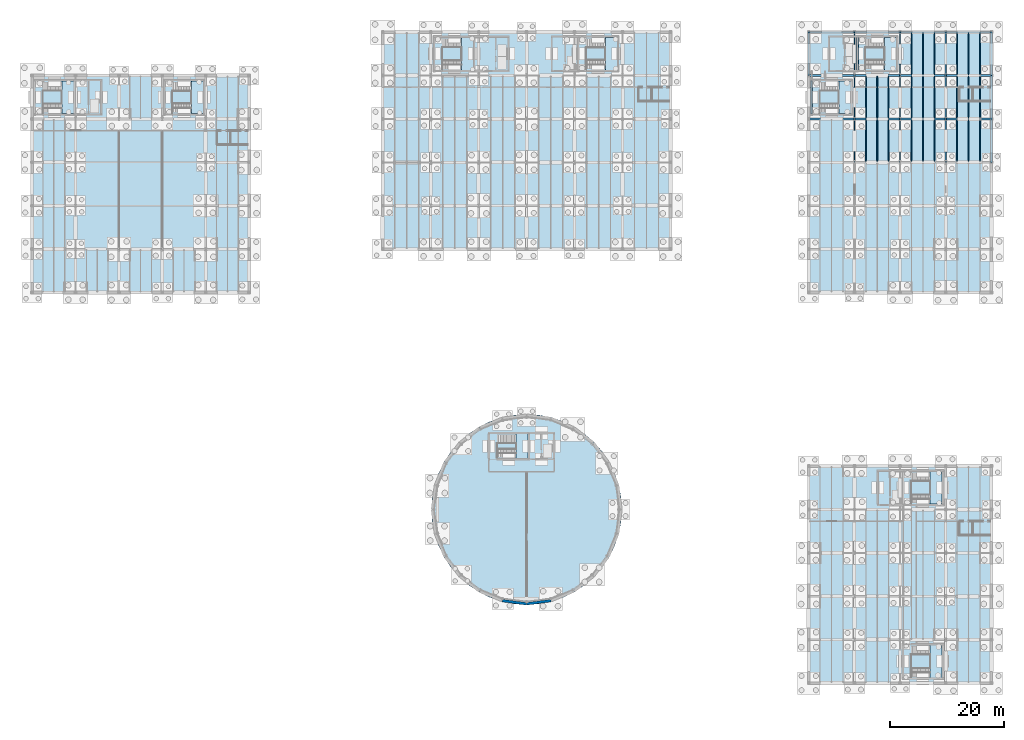
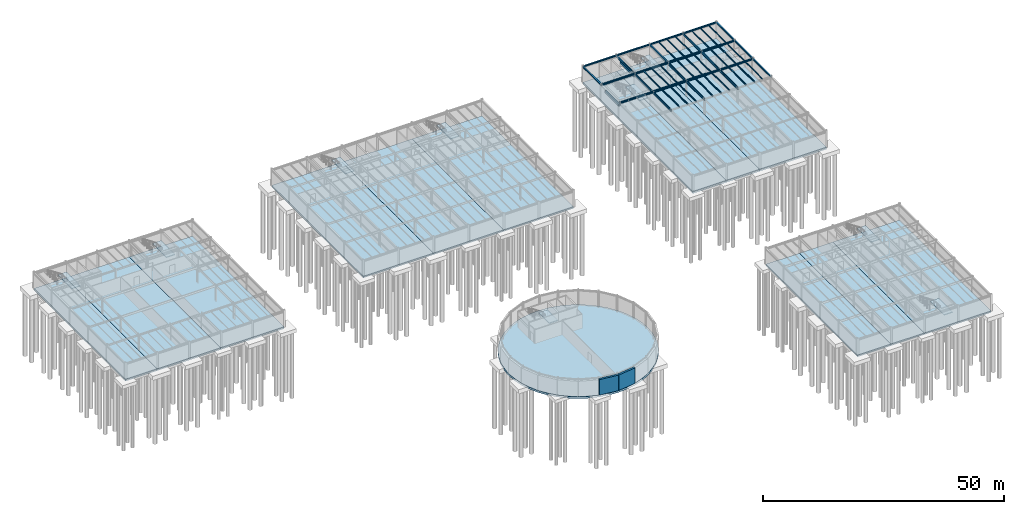
# One storey, part 23 of 33: 51 beams, 22 slabs, 2 walls, 9 elements without a shape of their own.
"""IFC4 building model written with IfcOpenShell, lengths in metres."""

import ifcopenshell
import ifcopenshell.guid

model = None  # the IFC model being written
_history = None  # IfcOwnerHistory: only IFC2X3 demands one
_inside = {}  # id of a spatial element -> (the spatial element, [elements in it])
_under = {}  # id of a project, library or spatial element -> (it, [spatial elements below it])
_declared = {}  # id of a project -> (the project, [libraries it declares])
_typed = {}  # id of a type object -> (the type object, [elements of that type])
_made_of = {}  # id of a material, layer set ... -> (it, [elements and type objects made of it])


def new_model(schema):
    """Start an empty IFC model of exactly this schema.

    Asked for "IFC4X3", IfcOpenShell would pick the latest addendum, in which some entities
    have other attributes; the version numbers below select the first issue.
    IFC2X3 requires an IfcOwnerHistory on every rooted entity: one is made here for all.
    """
    global model, _history
    if schema == "IFC4X3":
        model = ifcopenshell.file(schema_version=(4, 3, 0, 0))
    else:
        model = ifcopenshell.file(schema=schema)
    _inside.clear()
    _under.clear()
    _declared.clear()
    _typed.clear()
    _made_of.clear()
    _history = None
    if model.schema == "IFC2X3":
        org = make("IfcOrganization", Name="unknown")
        user = make(
            "IfcPersonAndOrganization",
            ThePerson=make("IfcPerson", FamilyName="unknown"),
            TheOrganization=org,
        )
        app = make(
            "IfcApplication",
            ApplicationDeveloper=org,
            Version="unknown",
            ApplicationFullName="unknown",
            ApplicationIdentifier="unknown",
        )
        _history = make(
            "IfcOwnerHistory",
            OwningUser=user,
            OwningApplication=app,
            ChangeAction="ADDED",
            CreationDate=0,
        )
    return model


def make(cls, **values):
    """One entity of the class cls with the attributes given. An attribute that is None is left unset."""
    return model.create_entity(
        cls, **{name: value for name, value in values.items() if value is not None}
    )


def rooted(cls, **values):
    """An entity with a GlobalId (a new one), such as an element, a storey or a relation."""
    return make(cls, GlobalId=ifcopenshell.guid.new(), OwnerHistory=_history, **values)


def si_unit(unit_type, name, prefix=None):
    """IfcSIUnit, for example si_unit("LENGTHUNIT", "METRE", prefix="MILLI")."""
    return make("IfcSIUnit", UnitType=unit_type, Prefix=prefix, Name=name)


def assignment(units):
    """IfcUnitAssignment: the units of a project."""
    return None if units is None else make("IfcUnitAssignment", Units=units)


def point(xyz):
    """IfcCartesianPoint."""
    return None if xyz is None else make("IfcCartesianPoint", Coordinates=xyz)


def direction(xyz):
    """IfcDirection."""
    return None if xyz is None else make("IfcDirection", DirectionRatios=xyz)


def frame(location, z_axis=None, x_axis=None):
    """IfcAxis2Placement3D, a coordinate frame: its origin and axes. An axis left out is left unset."""
    return make(
        "IfcAxis2Placement3D",
        Location=point(location),
        Axis=direction(z_axis),
        RefDirection=direction(x_axis),
    )


def frame_2d(location, x_axis=None):
    """IfcAxis2Placement2D, a coordinate frame in the plane: its origin and x axis."""
    return make(
        "IfcAxis2Placement2D", Location=point(location), RefDirection=direction(x_axis)
    )


def origin():
    """The frame at (0, 0, 0) with its axes left unset."""
    return frame((0.0, 0.0, 0.0))


def origin_2d():
    """The frame at (0, 0) in the plane with its x axis left unset."""
    return frame_2d((0.0, 0.0))


def place(relative_to, where):
    """IfcLocalPlacement: puts the frame where relative to a parent placement (None: the world)."""
    return make(
        "IfcLocalPlacement", PlacementRelTo=relative_to, RelativePlacement=where
    )


def context(
    kind, dimensions, precision=None, world=None, true_north=None, identifier=None
):
    """IfcGeometricRepresentationContext, for example the 3D "Model" context."""
    return make(
        "IfcGeometricRepresentationContext",
        ContextIdentifier=identifier,
        ContextType=kind,
        CoordinateSpaceDimension=dimensions,
        Precision=precision,
        WorldCoordinateSystem=world,
        TrueNorth=true_north,
    )


def subcontext(parent, identifier, kind, view, scale=None):
    """IfcGeometricRepresentationSubContext, for example "Body" below "Model"."""
    return make(
        "IfcGeometricRepresentationSubContext",
        ContextIdentifier=identifier,
        ContextType=kind,
        ParentContext=parent,
        TargetScale=scale,
        TargetView=view,
    )


def project(units=None, contexts=None):
    """IfcProject with its units and contexts."""
    return rooted(
        "IfcProject",
        Name="project",
        RepresentationContexts=contexts,
        UnitsInContext=assignment(units),
    )


def spatial(cls, under=None, at=None, **own):
    """A site, building, storey or space (cls), placed at a placement, below another one or the project."""
    s = rooted(cls, ObjectPlacement=at, **own)
    if under is not None:
        _under.setdefault(under.id(), (under, []))[1].append(s)
    return s


def polyline(points):
    """IfcPolyline through the points."""
    return make("IfcPolyline", Points=[point(p) for p in points])


def profile(cls, at=None, kind="AREA", **sizes):
    """A parametric profile (cls). Its sizes go by their IFC names, for example OverallWidth=200.0."""
    return make(cls, ProfileType=kind, Position=at, **sizes)


def rectangle(**sizes):
    """IfcRectangleProfileDef."""
    return profile("IfcRectangleProfileDef", **sizes)


def i_section(**sizes):
    """IfcIShapeProfileDef."""
    return profile("IfcIShapeProfileDef", **sizes)


def outline(outer, holes=None, kind="AREA"):
    """IfcArbitraryClosedProfileDef: a profile drawn as a closed curve; with holes, ...WithVoids."""
    if holes is None:
        return make("IfcArbitraryClosedProfileDef", ProfileType=kind, OuterCurve=outer)
    return make(
        "IfcArbitraryProfileDefWithVoids",
        ProfileType=kind,
        OuterCurve=outer,
        InnerCurves=holes,
    )


def extrude(swept, where, along, depth):
    """IfcExtrudedAreaSolid: the profile swept, set in the frame where, extruded along a direction by depth."""
    return make(
        "IfcExtrudedAreaSolid",
        SweptArea=swept,
        Position=where,
        ExtrudedDirection=direction(along),
        Depth=depth,
    )


def shape(context_of_items, identifier, shape_type, items):
    """IfcShapeRepresentation: the items that make up one representation, for example the "Body"."""
    return make(
        "IfcShapeRepresentation",
        ContextOfItems=context_of_items,
        RepresentationIdentifier=identifier,
        RepresentationType=shape_type,
        Items=items,
    )


def material(Name=None, Category=None):
    """IfcMaterial."""
    return make("IfcMaterial", Name=Name, Category=Category)


def layer(
    of_material, thickness, ventilated=None, Name=None, Category=None, Priority=None
):
    """IfcMaterialLayer: one layer of a wall or slab, of a material (None: an air gap)."""
    return make(
        "IfcMaterialLayer",
        Material=of_material,
        LayerThickness=thickness,
        IsVentilated=ventilated,
        Name=Name,
        Category=Category,
        Priority=Priority,
    )


def layer_set(layers, Name=None):
    """IfcMaterialLayerSet."""
    return make("IfcMaterialLayerSet", MaterialLayers=layers, LayerSetName=Name)


def material_profile(
    of_material, cross_section, Name=None, Category=None, Priority=None
):
    """IfcMaterialProfile: a cross section and its material."""
    return make(
        "IfcMaterialProfile",
        Name=Name,
        Material=of_material,
        Profile=cross_section,
        Priority=Priority,
        Category=Category,
    )


def profile_set(profiles, Name=None, composite=None):
    """IfcMaterialProfileSet."""
    return make(
        "IfcMaterialProfileSet",
        Name=Name,
        MaterialProfiles=profiles,
        CompositeProfile=composite,
    )


def made_of(thing, what):
    """Note that an element or type object is made of a material, layer set ...; save() writes the relation."""
    if what is not None:
        _made_of.setdefault(what.id(), (what, []))[1].append(thing)
    return thing


def type_object(cls, material=None, **own):
    """A type object (cls), such as IfcWallType, which elements share."""
    return made_of(rooted(cls, **own), material)


def element(
    cls,
    number,
    at=None,
    inside=None,
    cuts=None,
    type_object=None,
    material=None,
    context=None,
    identifier="Body",
    shape_type=None,
    held_by="IfcProductDefinitionShape",
    body=None,
    shapes=None,
    **own,
):
    """One element of the class cls, such as IfcWall. Its Tag is "e" and its number.

    at: its placement. inside: the storey or other place that contains it. cuts: it is an
    opening in that element (IfcRelVoidsElement). A single representation is given by context,
    identifier, shape_type and body (its items); several are given by shapes. held_by: the class
    of the entity that holds the representations. save() writes the other relations.
    """
    e = rooted(cls, Tag="e%d" % number, ObjectPlacement=at, **own)
    if body is not None:
        shapes = [shape(context, identifier, shape_type, body)]
    if shapes is not None:
        e.Representation = make(held_by, Representations=shapes)
    if inside is not None:
        _inside.setdefault(inside.id(), (inside, []))[1].append(e)
    if cuts is not None:
        rooted(
            "IfcRelVoidsElement", RelatingBuildingElement=cuts, RelatedOpeningElement=e
        )
    if type_object is not None:
        _typed.setdefault(type_object.id(), (type_object, []))[1].append(e)
    return made_of(e, material)


def aggregate(whole, parts):
    """IfcRelAggregates: a whole, such as a stair, and the parts it consists of."""
    return rooted("IfcRelAggregates", RelatingObject=whole, RelatedObjects=parts)


def save(model, path):
    """Write the relations noted so far, then the file.

    IfcRelAggregates (storeys below a building ...), IfcRelContainedInSpatialStructure (elements
    in a storey), IfcRelDefinesByType, IfcRelAssociatesMaterial and IfcRelDeclares: one each for
    every whole, place, type object, material and project.
    """
    for whole, parts in _under.values():
        aggregate(whole, parts)
    for where, things in _inside.values():
        rooted(
            "IfcRelContainedInSpatialStructure",
            RelatedElements=things,
            RelatingStructure=where,
        )
    for kind, things in _typed.values():
        rooted("IfcRelDefinesByType", RelatedObjects=things, RelatingType=kind)
    for what, things in _made_of.values():
        rooted("IfcRelAssociatesMaterial", RelatedObjects=things, RelatingMaterial=what)
    for by, libraries in _declared.values():
        rooted("IfcRelDeclares", RelatingContext=by, RelatedDefinitions=libraries)
    model.write(path)


model = new_model("IFC4")

# Units and contexts
model_context = context("Model", 3, precision=1e-05, world=origin(), true_north=direction((0.0, 1.0)))
body_context = subcontext(model_context, "Body", "Model", "MODEL_VIEW")
ifc_project = project(units=[si_unit("LENGTHUNIT", "METRE"), si_unit("AREAUNIT", "SQUARE_METRE"), si_unit("VOLUMEUNIT", "CUBIC_METRE"), si_unit("PLANEANGLEUNIT", "RADIAN"), si_unit("MASSUNIT", "GRAM", prefix="KILO")], contexts=[model_context])

# Site, building, storey
site_placement = place(None, origin())
site = spatial("IfcSite", under=ifc_project, at=site_placement, CompositionType="ELEMENT")
building_placement = place(site_placement, origin())
building = spatial("IfcBuilding", under=site, at=building_placement, Name="Montecoro Central Library", CompositionType="ELEMENT")
storey_placement = place(building_placement, frame((0.0, 0.0, -4.419921875)))
storey = spatial("IfcBuildingStorey", under=building, at=storey_placement, Name="B1", CompositionType="ELEMENT", Elevation=-4.419921875)

# Beams
ifc_material_1 = material(Name="Steel S355", Category="steel")
ifc_material_profile_1 = material_profile(ifc_material_1, i_section(OverallWidth=0.300048828125, OverallDepth=0.389892578125, WebThickness=0.010986328125, FlangeThickness=0.01904296875, at=origin_2d()), Name="HEA 400")
ifc_profile_set_1 = profile_set([ifc_material_profile_1], Name="Steel S355")
beam_type_1 = type_object("IfcBeamType", Name="BM-G-HEA400", PredefinedType="USERDEFINED", material=ifc_profile_set_1)
for number, where, z_axis, x_axis, name in (
    (1, (141.0048828125, 103.800048828125, 3.969970703125), (1.0, 0.0, 0.0), (0.0, 1.0, 0.0), "V5-B1-BX-1819-P"),
    (2, (149.0048828125, 103.800048828125, 3.969970703125), (1.0, 0.0, 0.0), (0.0, 1.0, 0.0), "V5-B1-BX-1920-P"),
    (3, (157.0048828125, 103.800048828125, 3.969970703125), (1.0, 0.0, 0.0), (0.0, 1.0, 0.0), "V5-B1-BX-2021-P"),
    (4, (165.0048828125, 103.800048828125, 3.969970703125), (1.0, 0.0, 0.0), (0.0, 1.0, 0.0), "V5-B1-BX-2122-P"),
    (5, (141.0048828125, 111.39990234375, 3.969970703125), (1.0, 0.0, 0.0), (0.0, 1.0, 0.0), "V5-B1-BX-1819-Q"),
    (6, (149.0048828125, 111.39990234375, 3.969970703125), (1.0, 0.0, 0.0), (0.0, 1.0, 0.0), "V5-B1-BX-1920-Q"),
    (7, (157.0048828125, 111.39990234375, 3.969970703125), (1.0, 0.0, 0.0), (0.0, 1.0, 0.0), "V5-B1-BX-2021-Q"),
    (8, (165.0048828125, 111.39990234375, 3.969970703125), (1.0, 0.0, 0.0), (0.0, 1.0, 0.0), "V5-B1-BX-2122-Q"),
):
    element("IfcBeam", number, at=place(storey_placement, frame(where, z_axis=z_axis, x_axis=x_axis)), inside=storey, type_object=beam_type_1, Name=name, ObjectType="GIRDER", PredefinedType="USERDEFINED", context=body_context, shape_type="SweptSolid", body=[
        extrude(i_section(OverallWidth=0.300048828125, OverallDepth=0.389892578125, WebThickness=0.010986328125, FlangeThickness=0.01904296875, at=origin_2d()), origin(), (0.0, 0.0, 1.0), 7.990234375),
    ])
ifc_material_2 = material(Name="Steel S355J2", Category="steel")
ifc_material_profile_2 = material_profile(ifc_material_2, i_section(OverallWidth=0.2099609375, OverallDepth=0.550048828125, WebThickness=0.010986328125, FlangeThickness=0.01708984375, at=origin_2d()), Name="IPE 550")
ifc_profile_set_2 = profile_set([ifc_material_profile_2], Name="Steel S355J2")
beam_type_2 = type_object("IfcBeamType", Name="BM-G-IPE550", PredefinedType="USERDEFINED", material=ifc_profile_set_2)
beam_1_placement = place(storey_placement, frame((149.0, 96.205078125, 3.889892578125), z_axis=(0.0, 1.0, 0.0), x_axis=(-1.0, 0.0, 0.0)))
element("IfcBeam", 9, at=beam_1_placement, inside=storey, type_object=beam_type_2, Name="V5-B1-BY-19-NP", ObjectType="GIRDER", PredefinedType="USERDEFINED", context=body_context, shape_type="SweptSolid", body=[
    extrude(i_section(OverallWidth=0.2099609375, OverallDepth=0.550048828125, WebThickness=0.010986328125, FlangeThickness=0.01708984375, at=origin_2d()), origin(), (0.0, 0.0, 1.0), 7.58984375),
])
for number, where, z_axis, x_axis, name in (
    (10, (149.0, 103.804931640625, 3.889892578125), (0.0, 1.0, 0.0), (-1.0, 0.0, 0.0), "V5-B1-BY-19-PQ"),
    (11, (149.0, 111.405029296875, 3.889892578125), (0.0, 1.0, 0.0), (-1.0, 0.0, 0.0), "V5-B1-BY-19-QR"),
):
    element("IfcBeam", number, at=place(storey_placement, frame(where, z_axis=z_axis, x_axis=x_axis)), inside=storey, type_object=beam_type_2, Name=name, ObjectType="GIRDER", PredefinedType="USERDEFINED", context=body_context, shape_type="SweptSolid", body=[
        extrude(i_section(OverallWidth=0.2099609375, OverallDepth=0.550048828125, WebThickness=0.010986328125, FlangeThickness=0.01708984375, at=origin_2d()), origin(), (0.0, 0.0, 1.0), 7.590087890625),
    ])
beam_2_placement = place(storey_placement, frame((157.0, 96.205078125, 3.889892578125), z_axis=(0.0, 1.0, 0.0), x_axis=(-1.0, 0.0, 0.0)))
element("IfcBeam", 12, at=beam_2_placement, inside=storey, type_object=beam_type_2, Name="V5-B1-BY-20-NP", ObjectType="GIRDER", PredefinedType="USERDEFINED", context=body_context, shape_type="SweptSolid", body=[
    extrude(i_section(OverallWidth=0.2099609375, OverallDepth=0.550048828125, WebThickness=0.010986328125, FlangeThickness=0.01708984375, at=origin_2d()), origin(), (0.0, 0.0, 1.0), 7.58984375),
])
for number, where, z_axis, x_axis, name in (
    (13, (157.0, 103.804931640625, 3.889892578125), (0.0, 1.0, 0.0), (-1.0, 0.0, 0.0), "V5-B1-BY-20-PQ"),
    (14, (157.0, 111.405029296875, 3.889892578125), (0.0, 1.0, 0.0), (-1.0, 0.0, 0.0), "V5-B1-BY-20-QR"),
):
    element("IfcBeam", number, at=place(storey_placement, frame(where, z_axis=z_axis, x_axis=x_axis)), inside=storey, type_object=beam_type_2, Name=name, ObjectType="GIRDER", PredefinedType="USERDEFINED", context=body_context, shape_type="SweptSolid", body=[
        extrude(i_section(OverallWidth=0.2099609375, OverallDepth=0.550048828125, WebThickness=0.010986328125, FlangeThickness=0.01708984375, at=origin_2d()), origin(), (0.0, 0.0, 1.0), 7.590087890625),
    ])
beam_3_placement = place(storey_placement, frame((165.0, 96.205078125, 3.889892578125), z_axis=(0.0, 1.0, 0.0), x_axis=(-1.0, 0.0, 0.0)))
element("IfcBeam", 15, at=beam_3_placement, inside=storey, type_object=beam_type_2, Name="V5-B1-BY-21-NP", ObjectType="GIRDER", PredefinedType="USERDEFINED", context=body_context, shape_type="SweptSolid", body=[
    extrude(i_section(OverallWidth=0.2099609375, OverallDepth=0.550048828125, WebThickness=0.010986328125, FlangeThickness=0.01708984375, at=origin_2d()), origin(), (0.0, 0.0, 1.0), 7.58984375),
])
for number, where, z_axis, x_axis, name in (
    (16, (165.0, 103.804931640625, 3.889892578125), (0.0, 1.0, 0.0), (-1.0, 0.0, 0.0), "V5-B1-BY-21-PQ"),
    (17, (165.0, 111.405029296875, 3.889892578125), (0.0, 1.0, 0.0), (-1.0, 0.0, 0.0), "V5-B1-BY-21-QR"),
):
    element("IfcBeam", number, at=place(storey_placement, frame(where, z_axis=z_axis, x_axis=x_axis)), inside=storey, type_object=beam_type_2, Name=name, ObjectType="GIRDER", PredefinedType="USERDEFINED", context=body_context, shape_type="SweptSolid", body=[
        extrude(i_section(OverallWidth=0.2099609375, OverallDepth=0.550048828125, WebThickness=0.010986328125, FlangeThickness=0.01708984375, at=origin_2d()), origin(), (0.0, 0.0, 1.0), 7.590087890625),
    ])
ifc_material_profile_3 = material_profile(ifc_material_1, i_section(OverallWidth=0.110107421875, OverallDepth=0.219970703125, WebThickness=0.005859375, FlangeThickness=0.00927734375, at=origin_2d()), Name="IPE 220")
ifc_profile_set_3 = profile_set([ifc_material_profile_3], Name="Steel S355")
beam_type_3 = type_object("IfcBeamType", Name="BM-J-IPE220", PredefinedType="JOIST", material=ifc_profile_set_3)
for number, where, z_axis, x_axis, name in (
    (18, (151.0, 96.346923828125, 4.054931640625), (0.0, 1.0, 0.0), (-1.0, 0.0, 0.0), "V5-B1-JS-1920-NP-1"),
    (19, (153.0, 96.346923828125, 4.054931640625), (0.0, 1.0, 0.0), (-1.0, 0.0, 0.0), "V5-B1-JS-1920-NP-2"),
    (20, (155.0, 96.346923828125, 4.054931640625), (0.0, 1.0, 0.0), (-1.0, 0.0, 0.0), "V5-B1-JS-1920-NP-3"),
):
    element("IfcBeam", number, at=place(storey_placement, frame(where, z_axis=z_axis, x_axis=x_axis)), inside=storey, type_object=beam_type_3, Name=name, PredefinedType="JOIST", context=body_context, shape_type="SweptSolid", body=[
        extrude(i_section(OverallWidth=0.110107421875, OverallDepth=0.219970703125, WebThickness=0.005859375, FlangeThickness=0.00927734375, at=origin_2d()), origin(), (0.0, 0.0, 1.0), 7.30615234375),
    ])
for number, where, z_axis, x_axis, name in (
    (21, (151.0, 103.947021484375, 4.054931640625), (0.0, 1.0, 0.0), (-1.0, 0.0, 0.0), "V5-B1-JS-1920-PQ-1"),
    (22, (153.0, 103.947021484375, 4.054931640625), (0.0, 1.0, 0.0), (-1.0, 0.0, 0.0), "V5-B1-JS-1920-PQ-2"),
    (23, (155.0, 103.947021484375, 4.054931640625), (0.0, 1.0, 0.0), (-1.0, 0.0, 0.0), "V5-B1-JS-1920-PQ-3"),
):
    element("IfcBeam", number, at=place(storey_placement, frame(where, z_axis=z_axis, x_axis=x_axis)), inside=storey, type_object=beam_type_3, Name=name, PredefinedType="JOIST", context=body_context, shape_type="SweptSolid", body=[
        extrude(i_section(OverallWidth=0.110107421875, OverallDepth=0.219970703125, WebThickness=0.005859375, FlangeThickness=0.00927734375, at=origin_2d()), origin(), (0.0, 0.0, 1.0), 7.305908203125),
    ])
for number, where, z_axis, x_axis, name in (
    (24, (159.0, 96.346923828125, 4.054931640625), (0.0, 1.0, 0.0), (-1.0, 0.0, 0.0), "V5-B1-JS-2021-NP-1"),
    (25, (161.0, 96.346923828125, 4.054931640625), (0.0, 1.0, 0.0), (-1.0, 0.0, 0.0), "V5-B1-JS-2021-NP-2"),
    (26, (163.0, 96.346923828125, 4.054931640625), (0.0, 1.0, 0.0), (-1.0, 0.0, 0.0), "V5-B1-JS-2021-NP-3"),
):
    element("IfcBeam", number, at=place(storey_placement, frame(where, z_axis=z_axis, x_axis=x_axis)), inside=storey, type_object=beam_type_3, Name=name, PredefinedType="JOIST", context=body_context, shape_type="SweptSolid", body=[
        extrude(i_section(OverallWidth=0.110107421875, OverallDepth=0.219970703125, WebThickness=0.005859375, FlangeThickness=0.00927734375, at=origin_2d()), origin(), (0.0, 0.0, 1.0), 7.30615234375),
    ])
for number, where, z_axis, x_axis, name in (
    (27, (159.0, 103.947021484375, 4.054931640625), (0.0, 1.0, 0.0), (-1.0, 0.0, 0.0), "V5-B1-JS-2021-PQ-1"),
    (28, (161.0, 103.947021484375, 4.054931640625), (0.0, 1.0, 0.0), (-1.0, 0.0, 0.0), "V5-B1-JS-2021-PQ-2"),
    (29, (163.0, 103.947021484375, 4.054931640625), (0.0, 1.0, 0.0), (-1.0, 0.0, 0.0), "V5-B1-JS-2021-PQ-3"),
    (30, (159.0, 111.547119140625, 4.054931640625), (0.0, 1.0, 0.0), (-1.0, 0.0, 0.0), "V5-B1-JS-2021-QR-1"),
    (31, (161.0, 111.547119140625, 4.054931640625), (0.0, 1.0, 0.0), (-1.0, 0.0, 0.0), "V5-B1-JS-2021-QR-2"),
    (32, (163.0, 111.547119140625, 4.054931640625), (0.0, 1.0, 0.0), (-1.0, 0.0, 0.0), "V5-B1-JS-2021-QR-3"),
):
    element("IfcBeam", number, at=place(storey_placement, frame(where, z_axis=z_axis, x_axis=x_axis)), inside=storey, type_object=beam_type_3, Name=name, PredefinedType="JOIST", context=body_context, shape_type="SweptSolid", body=[
        extrude(i_section(OverallWidth=0.110107421875, OverallDepth=0.219970703125, WebThickness=0.005859375, FlangeThickness=0.00927734375, at=origin_2d()), origin(), (0.0, 0.0, 1.0), 7.305908203125),
    ])
for number, where, z_axis, x_axis, name in (
    (33, (167.0, 96.346923828125, 4.054931640625), (0.0, 1.0, 0.0), (-1.0, 0.0, 0.0), "V5-B1-JS-2122-NP-1"),
    (34, (169.0, 96.346923828125, 4.054931640625), (0.0, 1.0, 0.0), (-1.0, 0.0, 0.0), "V5-B1-JS-2122-NP-2"),
    (35, (171.0, 96.346923828125, 4.054931640625), (0.0, 1.0, 0.0), (-1.0, 0.0, 0.0), "V5-B1-JS-2122-NP-3"),
):
    element("IfcBeam", number, at=place(storey_placement, frame(where, z_axis=z_axis, x_axis=x_axis)), inside=storey, type_object=beam_type_3, Name=name, PredefinedType="JOIST", context=body_context, shape_type="SweptSolid", body=[
        extrude(i_section(OverallWidth=0.110107421875, OverallDepth=0.219970703125, WebThickness=0.005859375, FlangeThickness=0.00927734375, at=origin_2d()), origin(), (0.0, 0.0, 1.0), 7.30615234375),
    ])
for number, where, z_axis, x_axis, name in (
    (36, (167.0, 103.947021484375, 4.054931640625), (0.0, 1.0, 0.0), (-1.0, 0.0, 0.0), "V5-B1-JS-2122-PQ-1"),
    (37, (169.0, 103.947021484375, 4.054931640625), (0.0, 1.0, 0.0), (-1.0, 0.0, 0.0), "V5-B1-JS-2122-PQ-2"),
    (38, (171.0, 103.947021484375, 4.054931640625), (0.0, 1.0, 0.0), (-1.0, 0.0, 0.0), "V5-B1-JS-2122-PQ-3"),
    (39, (167.0, 111.547119140625, 4.054931640625), (0.0, 1.0, 0.0), (-1.0, 0.0, 0.0), "V5-B1-JS-2122-QR-1"),
    (40, (169.0, 111.547119140625, 4.054931640625), (0.0, 1.0, 0.0), (-1.0, 0.0, 0.0), "V5-B1-JS-2122-QR-2"),
    (41, (171.0, 111.547119140625, 4.054931640625), (0.0, 1.0, 0.0), (-1.0, 0.0, 0.0), "V5-B1-JS-2122-QR-3"),
):
    element("IfcBeam", number, at=place(storey_placement, frame(where, z_axis=z_axis, x_axis=x_axis)), inside=storey, type_object=beam_type_3, Name=name, PredefinedType="JOIST", context=body_context, shape_type="SweptSolid", body=[
        extrude(i_section(OverallWidth=0.110107421875, OverallDepth=0.219970703125, WebThickness=0.005859375, FlangeThickness=0.00927734375, at=origin_2d()), origin(), (0.0, 0.0, 1.0), 7.305908203125),
    ])
ifc_material_3 = material(Name="Concrete C35/45", Category="concrete")
ifc_material_profile_4 = material_profile(ifc_material_3, rectangle(XDim=0.35009765625, YDim=0.60009765625, at=origin_2d()), Name="RC LNT 600x350")
ifc_profile_set_4 = profile_set([ifc_material_profile_4], Name="Concrete C35/45")
beam_type_4 = type_object("IfcBeamType", Name="BM-LN-RC01", PredefinedType="LINTEL", material=ifc_profile_set_4)
beam_4_placement = place(storey_placement, frame((149.5, 112.35009765625, 2.75), z_axis=(0.0, 1.0, 0.0), x_axis=(-1.0, 0.0, 0.0)))
element("IfcBeam", 42, at=beam_4_placement, inside=storey, type_object=beam_type_4, Name="C6-B1-LNT", PredefinedType="LINTEL", context=body_context, shape_type="SweptSolid", body=[
    extrude(rectangle(XDim=0.35009765625, YDim=0.60009765625, at=origin_2d()), origin(), (0.0, 0.0, 1.0), 5.699951171875),
])
ifc_material_profile_5 = material_profile(ifc_material_3, rectangle(XDim=0.320068359375, YDim=0.5, at=origin_2d()), Name="RC LNT 500x320")
ifc_profile_set_5 = profile_set([ifc_material_profile_5], Name="Concrete C35/45")
beam_type_5 = type_object("IfcBeamType", Name="BM-LN-RC03", PredefinedType="LINTEL", material=ifc_profile_set_5)
beam_5_placement = place(storey_placement, frame((141.5, 104.75, 2.699951171875), z_axis=(0.0, 1.0, 0.0), x_axis=(-1.0, 0.0, 0.0)))
element("IfcBeam", 43, at=beam_5_placement, inside=storey, type_object=beam_type_5, Name="C8-B1-LNT", PredefinedType="LINTEL", context=body_context, shape_type="SweptSolid", body=[
    extrude(rectangle(XDim=0.320068359375, YDim=0.5, at=origin_2d()), origin(), (0.0, 0.0, 1.0), 5.699951171875),
])
ifc_material_profile_6 = material_profile(ifc_material_1, i_section(OverallWidth=0.300048828125, OverallDepth=0.330078125, WebThickness=0.009521484375, FlangeThickness=0.0166015625, at=origin_2d()), Name="HEA 340")
ifc_profile_set_6 = profile_set([ifc_material_profile_6], Name="Steel S355")
beam_type_6 = type_object("IfcBeamType", Name="BM-SP-HEA340", PredefinedType="SPANDREL", material=ifc_profile_set_6)
for number, where, z_axis, x_axis, name in (
    (44, (141.0048828125, 119.0, 4.0), (1.0, 0.0, 0.0), (0.0, 1.0, 0.0), "V5-B1-BX-1819-R"),
    (45, (149.0048828125, 119.0, 4.0), (1.0, 0.0, 0.0), (0.0, 1.0, 0.0), "V5-B1-BX-1920-R"),
    (46, (157.0048828125, 119.0, 4.0), (1.0, 0.0, 0.0), (0.0, 1.0, 0.0), "V5-B1-BX-2021-R"),
    (47, (165.0048828125, 119.0, 4.0), (1.0, 0.0, 0.0), (0.0, 1.0, 0.0), "V5-B1-BX-2122-R"),
):
    element("IfcBeam", number, at=place(storey_placement, frame(where, z_axis=z_axis, x_axis=x_axis)), inside=storey, type_object=beam_type_6, Name=name, PredefinedType="SPANDREL", context=body_context, shape_type="SweptSolid", body=[
        extrude(i_section(OverallWidth=0.300048828125, OverallDepth=0.330078125, WebThickness=0.009521484375, FlangeThickness=0.0166015625, at=origin_2d()), origin(), (0.0, 0.0, 1.0), 7.990234375),
    ])
beam_6_placement = place(storey_placement, frame((141.0, 111.405029296875, 4.0), z_axis=(0.0, 1.0, 0.0), x_axis=(-1.0, 0.0, 0.0)))
element("IfcBeam", 48, at=beam_6_placement, inside=storey, type_object=beam_type_6, Name="V5-B1-BY-18-QR", PredefinedType="SPANDREL", context=body_context, shape_type="SweptSolid", body=[
    extrude(i_section(OverallWidth=0.300048828125, OverallDepth=0.330078125, WebThickness=0.009521484375, FlangeThickness=0.0166015625, at=origin_2d()), origin(), (0.0, 0.0, 1.0), 7.590087890625),
])
beam_7_placement = place(storey_placement, frame((173.0, 96.205078125, 4.0), z_axis=(0.0, 1.0, 0.0), x_axis=(-1.0, 0.0, 0.0)))
element("IfcBeam", 49, at=beam_7_placement, inside=storey, type_object=beam_type_6, Name="V5-B1-BY-22-NP", PredefinedType="SPANDREL", context=body_context, shape_type="SweptSolid", body=[
    extrude(i_section(OverallWidth=0.300048828125, OverallDepth=0.330078125, WebThickness=0.009521484375, FlangeThickness=0.0166015625, at=origin_2d()), origin(), (0.0, 0.0, 1.0), 7.58984375),
])
for number, where, z_axis, x_axis, name in (
    (50, (173.0, 103.804931640625, 4.0), (0.0, 1.0, 0.0), (-1.0, 0.0, 0.0), "V5-B1-BY-22-PQ"),
    (51, (173.0, 111.405029296875, 4.0), (0.0, 1.0, 0.0), (-1.0, 0.0, 0.0), "V5-B1-BY-22-QR"),
):
    element("IfcBeam", number, at=place(storey_placement, frame(where, z_axis=z_axis, x_axis=x_axis)), inside=storey, type_object=beam_type_6, Name=name, PredefinedType="SPANDREL", context=body_context, shape_type="SweptSolid", body=[
        extrude(i_section(OverallWidth=0.300048828125, OverallDepth=0.330078125, WebThickness=0.009521484375, FlangeThickness=0.0166015625, at=origin_2d()), origin(), (0.0, 0.0, 1.0), 7.590087890625),
    ])

# Slabs
ifc_layer_1 = layer(ifc_material_3, 0.449951171875)
ifc_layer_set_1 = layer_set([ifc_layer_1], Name="Concrete C35/45")
slab_type_1 = type_object("IfcSlabType", Name="SL-BASE-450", PredefinedType="BASESLAB", material=ifc_layer_set_1)
slab_1_placement = place(storey_placement, frame((0.0, 0.0, -0.4501953125)))
element("IfcSlab", 52, at=slab_1_placement, inside=storey, type_object=slab_type_1, Name="V2-B1-SL1", PredefinedType="BASESLAB", context=body_context, shape_type="SweptSolid", body=[
    extrude(outline(polyline([(66.39990234375, 81.0), (83.199951171875, 81.0), (83.199951171875, 119.0), (66.39990234375, 119.0), (66.39990234375, 81.0)])), origin(), (0.0, 0.0, 1.0), 0.4501953125),
])
slab_2_placement = place(storey_placement, frame((0.0, 0.0, -0.4501953125)))
element("IfcSlab", 53, at=slab_2_placement, inside=storey, type_object=slab_type_1, Name="V2-B1-SL2", PredefinedType="BASESLAB", context=body_context, shape_type="SweptSolid", body=[
    extrude(outline(polyline([(83.199951171875, 81.0), (100.0, 81.0), (100.0, 119.0), (83.199951171875, 119.0), (83.199951171875, 81.0)])), origin(), (0.0, 0.0, 1.0), 0.4501953125),
])
slab_3_placement = place(storey_placement, frame((0.0, 0.0, -0.4501953125)))
element("IfcSlab", 54, at=slab_3_placement, inside=storey, type_object=slab_type_1, Name="V2-B1-SL3", PredefinedType="BASESLAB", context=body_context, shape_type="SweptSolid", body=[
    extrude(outline(polyline([(100.0, 81.0), (116.800048828125, 81.0), (116.800048828125, 119.0), (100.0, 119.0), (100.0, 81.0)])), origin(), (0.0, 0.0, 1.0), 0.4501953125),
])
slab_4_placement = place(storey_placement, frame((0.0, 0.0, -0.4501953125)))
element("IfcSlab", 55, at=slab_4_placement, inside=storey, type_object=slab_type_1, Name="V6-B1-SL1", PredefinedType="BASESLAB", context=body_context, shape_type="SweptSolid", body=[
    extrude(outline(polyline([(141.0, 5.0), (149.0, 5.0), (149.0, 43.0), (141.0, 43.0), (141.0, 5.0)])), origin(), (0.0, 0.0, 1.0), 0.4501953125),
])
slab_5_placement = place(storey_placement, frame((0.0, 0.0, -0.4501953125)))
element("IfcSlab", 56, at=slab_5_placement, inside=storey, type_object=slab_type_1, Name="V6-B1-SL2", PredefinedType="BASESLAB", context=body_context, shape_type="SweptSolid", body=[
    extrude(outline(polyline([(149.0, 5.0), (157.0, 5.0), (157.0, 43.0), (149.0, 43.0), (149.0, 5.0)])), origin(), (0.0, 0.0, 1.0), 0.4501953125),
])
slab_6_placement = place(storey_placement, frame((0.0, 0.0, -0.4501953125)))
element("IfcSlab", 57, at=slab_6_placement, inside=storey, type_object=slab_type_1, Name="V6-B1-SL3", PredefinedType="BASESLAB", context=body_context, shape_type="SweptSolid", body=[
    extrude(outline(polyline([(157.0, 5.0), (173.0, 5.0), (173.0, 43.0), (157.0, 43.0), (157.0, 5.0)])), origin(), (0.0, 0.0, 1.0), 0.4501953125),
])
ifc_layer_2 = layer(ifc_material_3, 0.5)
ifc_layer_set_2 = layer_set([ifc_layer_2], Name="Concrete C35/45")
slab_type_2 = type_object("IfcSlabType", Name="SL-BASE-500", PredefinedType="BASESLAB", material=ifc_layer_set_2)
slab_7_placement = place(storey_placement, frame((0.0, 0.0, -0.5)))
element("IfcSlab", 58, at=slab_7_placement, inside=storey, type_object=slab_type_2, Name="V4-B1-SL1", PredefinedType="BASESLAB", context=body_context, shape_type="SweptSolid", body=[
    extrude(outline(polyline([(5.0, 73.39990234375), (12.60009765625, 73.39990234375), (12.60009765625, 111.39990234375), (5.0, 111.39990234375), (5.0, 73.39990234375)])), origin(), (0.0, 0.0, 1.0), 0.5),
])
slab_8_placement = place(storey_placement, frame((0.0, 0.0, -0.5)))
element("IfcSlab", 59, at=slab_8_placement, inside=storey, type_object=slab_type_2, Name="V4-B1-SL2", PredefinedType="BASESLAB", context=body_context, shape_type="SweptSolid", body=[
    extrude(outline(polyline([(12.60009765625, 73.39990234375), (27.800048828125, 73.39990234375), (27.800048828125, 111.39990234375), (12.60009765625, 111.39990234375), (12.60009765625, 73.39990234375)])), origin(), (0.0, 0.0, 1.0), 0.5),
])
slab_9_placement = place(storey_placement, frame((0.0, 0.0, -0.5)))
element("IfcSlab", 60, at=slab_9_placement, inside=storey, type_object=slab_type_2, Name="V4-B1-SL3", PredefinedType="BASESLAB", context=body_context, shape_type="SweptSolid", body=[
    extrude(outline(polyline([(27.800048828125, 73.39990234375), (43.0, 73.39990234375), (43.0, 111.39990234375), (27.800048828125, 111.39990234375), (27.800048828125, 73.39990234375)])), origin(), (0.0, 0.0, 1.0), 0.5),
])
slab_10_placement = place(storey_placement, frame((0.0, 0.0, -0.5)))
element("IfcSlab", 61, at=slab_10_placement, inside=storey, type_object=slab_type_2, Name="V1-B1-SLAB", PredefinedType="BASESLAB", context=body_context, shape_type="SweptSolid", body=[
    extrude(outline(polyline([(108.280029296875, 35.39990234375), (108.136962890625, 37.576904296875), (107.7119140625, 39.717041015625), (107.010009765625, 41.782958984375), (106.044921875, 43.739990234375), (104.8330078125, 45.553955078125), (103.39501953125, 47.195068359375), (101.75390625, 48.633056640625), (99.93994140625, 49.844970703125), (97.98291015625, 50.81005859375), (95.9169921875, 51.511962890625), (93.777099609375, 51.93701171875), (91.60009765625, 52.080078125), (89.423095703125, 51.93701171875), (87.282958984375, 51.511962890625), (85.217041015625, 50.81005859375), (83.260009765625, 49.844970703125), (81.446044921875, 48.633056640625), (79.804931640625, 47.195068359375), (78.366943359375, 45.553955078125), (77.155029296875, 43.739990234375), (76.18994140625, 41.782958984375), (75.488037109375, 39.717041015625), (75.06298828125, 37.576904296875), (74.919921875, 35.39990234375), (75.06298828125, 33.222900390625), (75.488037109375, 31.0830078125), (76.18994140625, 29.01708984375), (77.155029296875, 27.06005859375), (78.366943359375, 25.24609375), (79.804931640625, 23.60498046875), (81.446044921875, 22.1669921875), (83.260009765625, 20.955078125), (85.217041015625, 19.989990234375), (87.282958984375, 19.2880859375), (89.423095703125, 18.863037109375), (91.60009765625, 18.719970703125), (93.777099609375, 18.863037109375), (95.9169921875, 19.2880859375), (97.98291015625, 19.989990234375), (99.93994140625, 20.955078125), (101.75390625, 22.1669921875), (103.39501953125, 23.60498046875), (104.8330078125, 25.24609375), (106.044921875, 27.06005859375), (107.010009765625, 29.01708984375), (107.7119140625, 31.0830078125), (108.136962890625, 33.222900390625), (108.280029296875, 35.39990234375)])), origin(), (0.0, 0.0, 1.0), 0.5),
])
ifc_layer_3 = layer(ifc_material_3, 0.550048828125)
ifc_layer_set_3 = layer_set([ifc_layer_3], Name="Concrete C35/45")
slab_type_3 = type_object("IfcSlabType", Name="SL-BASE-550", PredefinedType="BASESLAB", material=ifc_layer_set_3)
slab_11_placement = place(storey_placement, frame((0.0, 0.0, -0.550048828125)))
element("IfcSlab", 62, at=slab_11_placement, inside=storey, type_object=slab_type_3, Name="V5-B1-SL1", PredefinedType="BASESLAB", context=body_context, shape_type="SweptSolid", body=[
    extrude(outline(polyline([(141.0, 73.39990234375), (149.0, 73.39990234375), (149.0, 119.0), (141.0, 119.0), (141.0, 73.39990234375)])), origin(), (0.0, 0.0, 1.0), 0.550048828125),
])
slab_12_placement = place(storey_placement, frame((0.0, 0.0, -0.550048828125)))
element("IfcSlab", 63, at=slab_12_placement, inside=storey, type_object=slab_type_3, Name="V5-B1-SL2", PredefinedType="BASESLAB", context=body_context, shape_type="SweptSolid", body=[
    extrude(outline(polyline([(149.0, 73.39990234375), (157.0, 73.39990234375), (157.0, 119.0), (149.0, 119.0), (149.0, 73.39990234375)])), origin(), (0.0, 0.0, 1.0), 0.550048828125),
])
slab_13_placement = place(storey_placement, frame((0.0, 0.0, -0.550048828125)))
element("IfcSlab", 64, at=slab_13_placement, inside=storey, type_object=slab_type_3, Name="V5-B1-SL3", PredefinedType="BASESLAB", context=body_context, shape_type="SweptSolid", body=[
    extrude(outline(polyline([(157.0, 73.39990234375), (173.0, 73.39990234375), (173.0, 119.0), (157.0, 119.0), (157.0, 73.39990234375)])), origin(), (0.0, 0.0, 1.0), 0.550048828125),
])

# Stair, slab
stair_type_1 = type_object("IfcStairType", Name="STR-RET-150", PredefinedType="HALF_TURN_STAIR", material=ifc_material_3)
stair_1_placement = place(storey_placement, origin())
stair_1 = element("IfcStair", 65, at=stair_1_placement, inside=storey, type_object=stair_type_1, Name="C1-B1-STR", PredefinedType="HALF_TURN_STAIR")
ifc_layer_4 = layer(ifc_material_3, 0.199951171875)
ifc_layer_set_4 = layer_set([ifc_layer_4], Name="Concrete C35/45")
slab_type_4 = type_object("IfcSlabType", Name="SL-LND-200", PredefinedType="LANDING", material=ifc_layer_set_4)
slab_14_placement = place(storey_placement, frame((0.0, 0.0, 2.010009765625)))
slab_14 = element("IfcSlab", 66, at=slab_14_placement, type_object=slab_type_4, Name="ST-01 landing 1", PredefinedType="LANDING", context=body_context, shape_type="SweptSolid", body=[
    extrude(outline(polyline([(89.780029296875, 44.320068359375), (91.8798828125, 44.320068359375), (91.8798828125, 48.679931640625), (89.780029296875, 48.679931640625), (89.780029296875, 44.320068359375)])), origin(), (0.0, 0.0, 1.0), 0.199951171875),
])
aggregate(stair_1, [slab_14])

stair_type_2 = type_object("IfcStairType", Name="STR-RET-155", PredefinedType="HALF_TURN_STAIR", material=ifc_material_3)
stair_2_placement = place(storey_placement, origin())
stair_2 = element("IfcStair", 67, at=stair_2_placement, inside=storey, type_object=stair_type_2, Name="C2-B1-STR", PredefinedType="HALF_TURN_STAIR")
slab_15_placement = place(storey_placement, frame((0.0, 0.0, 2.010009765625)))
slab_15 = element("IfcSlab", 68, at=slab_15_placement, type_object=slab_type_4, Name="ST-02 landing 1", PredefinedType="LANDING", context=body_context, shape_type="SweptSolid", body=[
    extrude(outline(polyline([(80.179931640625, 112.320068359375), (82.280029296875, 112.320068359375), (82.280029296875, 118.080078125), (80.179931640625, 118.080078125), (80.179931640625, 112.320068359375)])), origin(), (0.0, 0.0, 1.0), 0.199951171875),
])
aggregate(stair_2, [slab_15])

stair_type_3 = type_object("IfcStairType", Name="STR-RET-160", PredefinedType="HALF_TURN_STAIR", material=ifc_material_3)
stair_3_placement = place(storey_placement, origin())
stair_3 = element("IfcStair", 69, at=stair_3_placement, inside=storey, type_object=stair_type_3, Name="C3-B1-STR", PredefinedType="HALF_TURN_STAIR")
slab_16_placement = place(storey_placement, frame((0.0, 0.0, 2.010009765625)))
slab_16 = element("IfcSlab", 70, at=slab_16_placement, type_object=slab_type_4, Name="ST-03 landing 1", PredefinedType="LANDING", context=body_context, shape_type="SweptSolid", body=[
    extrude(outline(polyline([(105.3798828125, 112.320068359375), (107.47998046875, 112.320068359375), (107.47998046875, 118.080078125), (105.3798828125, 118.080078125), (105.3798828125, 112.320068359375)])), origin(), (0.0, 0.0, 1.0), 0.199951171875),
])
aggregate(stair_3, [slab_16])

stair_4_placement = place(storey_placement, origin())
stair_4 = element("IfcStair", 71, at=stair_4_placement, inside=storey, type_object=stair_type_2, Name="C5-B1-STR", PredefinedType="HALF_TURN_STAIR")
slab_17_placement = place(storey_placement, frame((0.0, 0.0, 2.010009765625)))
slab_17 = element("IfcSlab", 72, at=slab_17_placement, type_object=slab_type_4, Name="ST-05 landing 1", PredefinedType="LANDING", context=body_context, shape_type="SweptSolid", body=[
    extrude(outline(polyline([(10.199951171875, 104.719970703125), (12.300048828125, 104.719970703125), (12.300048828125, 110.47998046875), (10.199951171875, 110.47998046875), (10.199951171875, 104.719970703125)])), origin(), (0.0, 0.0, 1.0), 0.199951171875),
])
aggregate(stair_4, [slab_17])

stair_5_placement = place(storey_placement, origin())
stair_5 = element("IfcStair", 73, at=stair_5_placement, inside=storey, type_object=stair_type_3, Name="C6-B1-STR", PredefinedType="HALF_TURN_STAIR")
slab_18_placement = place(storey_placement, frame((0.0, 0.0, 2.010009765625)))
slab_18 = element("IfcSlab", 74, at=slab_18_placement, type_object=slab_type_4, Name="ST-06 landing 1", PredefinedType="LANDING", context=body_context, shape_type="SweptSolid", body=[
    extrude(outline(polyline([(154.280029296875, 112.320068359375), (156.3798828125, 112.320068359375), (156.3798828125, 118.080078125), (154.280029296875, 118.080078125), (154.280029296875, 112.320068359375)])), origin(), (0.0, 0.0, 1.0), 0.199951171875),
])
aggregate(stair_5, [slab_18])

stair_6_placement = place(storey_placement, origin())
stair_6 = element("IfcStair", 75, at=stair_6_placement, inside=storey, type_object=stair_type_1, Name="C7-B1-STR", PredefinedType="HALF_TURN_STAIR")
slab_19_placement = place(storey_placement, frame((0.0, 0.0, 2.010009765625)))
slab_19 = element("IfcSlab", 76, at=slab_19_placement, type_object=slab_type_4, Name="ST-07 landing 1", PredefinedType="LANDING", context=body_context, shape_type="SweptSolid", body=[
    extrude(outline(polyline([(162.280029296875, 36.320068359375), (164.3798828125, 36.320068359375), (164.3798828125, 42.080078125), (162.280029296875, 42.080078125), (162.280029296875, 36.320068359375)])), origin(), (0.0, 0.0, 1.0), 0.199951171875),
])
aggregate(stair_6, [slab_19])

stair_7_placement = place(storey_placement, origin())
stair_7 = element("IfcStair", 77, at=stair_7_placement, inside=storey, type_object=stair_type_2, Name="C8-B1-STR", PredefinedType="HALF_TURN_STAIR")
slab_20_placement = place(storey_placement, frame((0.0, 0.0, 2.010009765625)))
slab_20 = element("IfcSlab", 78, at=slab_20_placement, type_object=slab_type_4, Name="ST-08 landing 1", PredefinedType="LANDING", context=body_context, shape_type="SweptSolid", body=[
    extrude(outline(polyline([(146.280029296875, 104.719970703125), (148.3798828125, 104.719970703125), (148.3798828125, 110.47998046875), (146.280029296875, 110.47998046875), (146.280029296875, 104.719970703125)])), origin(), (0.0, 0.0, 1.0), 0.199951171875),
])
aggregate(stair_7, [slab_20])

stair_8_placement = place(storey_placement, origin())
stair_8 = element("IfcStair", 79, at=stair_8_placement, inside=storey, type_object=stair_type_3, Name="C9-B1-STR", PredefinedType="HALF_TURN_STAIR")
slab_21_placement = place(storey_placement, frame((0.0, 0.0, 2.010009765625)))
slab_21 = element("IfcSlab", 80, at=slab_21_placement, type_object=slab_type_4, Name="ST-09 landing 1", PredefinedType="LANDING", context=body_context, shape_type="SweptSolid", body=[
    extrude(outline(polyline([(32.8798828125, 104.719970703125), (34.97998046875, 104.719970703125), (34.97998046875, 110.47998046875), (32.8798828125, 110.47998046875), (32.8798828125, 104.719970703125)])), origin(), (0.0, 0.0, 1.0), 0.199951171875),
])
aggregate(stair_8, [slab_21])

stair_9_placement = place(storey_placement, origin())
stair_9 = element("IfcStair", 81, at=stair_9_placement, inside=storey, type_object=stair_type_1, Name="C10-B1-STR", PredefinedType="HALF_TURN_STAIR")
slab_22_placement = place(storey_placement, frame((0.0, 0.0, 2.010009765625)))
slab_22 = element("IfcSlab", 82, at=slab_22_placement, type_object=slab_type_4, Name="ST-10 landing 1", PredefinedType="LANDING", context=body_context, shape_type="SweptSolid", body=[
    extrude(outline(polyline([(162.280029296875, 5.919921875), (164.3798828125, 5.919921875), (164.3798828125, 11.679931640625), (162.280029296875, 11.679931640625), (162.280029296875, 5.919921875)])), origin(), (0.0, 0.0, 1.0), 0.199951171875),
])
aggregate(stair_9, [slab_22])

# Walls
ifc_layer_5 = layer(ifc_material_3, 0.455078125)
ifc_layer_set_5 = layer_set([ifc_layer_5], Name="Concrete C35/45")
wall_type = type_object("IfcWallType", Name="EW-RET-455", PredefinedType="USERDEFINED", material=ifc_layer_set_5)
wall_1_placement = place(storey_placement, frame((87.343994140625, 19.43994140625, 0.0), z_axis=(0.0, 0.0, 1.0), x_axis=(0.991469264935, -0.130340694676, 0.0)))
element("IfcWall", 83, at=wall_1_placement, inside=storey, type_object=wall_type, Name="V1-B1-RW-18", ObjectType="RETAININGWALL", PredefinedType="USERDEFINED", context=body_context, shape_type="SweptSolid", body=[
    extrude(rectangle(XDim=4.2724609375, YDim=0.455078125, at=frame_2d((2.13623046875, 0.0))), origin(), (0.0, 0.0, 1.0), 3.919921875),
])
wall_2_placement = place(storey_placement, frame((91.6201171875, 18.883056640625, 0.0), z_axis=(0.0, 0.0, 1.0), x_axis=(0.991468294086, 0.13034807947, 0.0)))
element("IfcWall", 84, at=wall_2_placement, inside=storey, type_object=wall_type, Name="V1-B1-RW-19", ObjectType="RETAININGWALL", PredefinedType="USERDEFINED", context=body_context, shape_type="SweptSolid", body=[
    extrude(rectangle(XDim=4.272216796875, YDim=0.455078125, at=frame_2d((2.13623046875, 0.0))), origin(), (0.0, 0.0, 1.0), 3.919921875),
])

save(model, "model.ifc")
